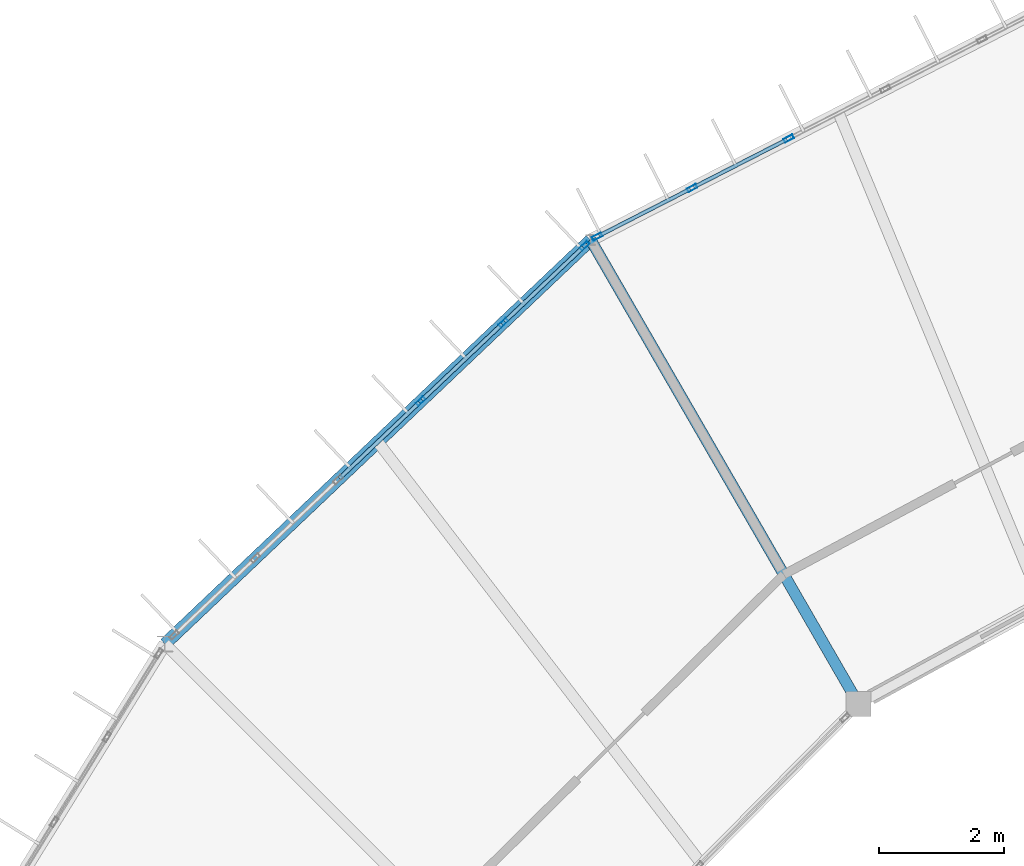
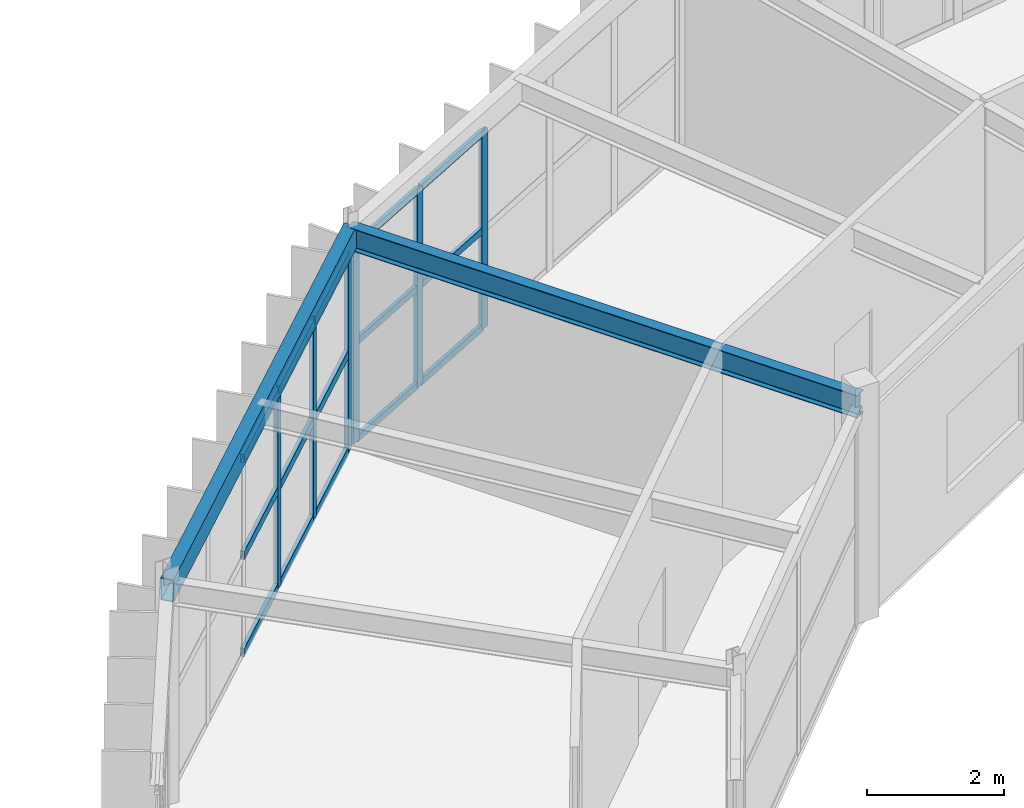
# One storey, part 60 of 106: 21 members, 2 beams, 2 elements without a shape of their own.
"""IFC4 building model written with IfcOpenShell, lengths in metres."""

from ifc_helpers import new_model, si_unit, direction, frame, origin, origin_2d, place, context, subcontext, project, spatial, hollow_rectangle, i_section, extrude, material, material_profile, profile_set, type_object, element, aggregate, save


model = new_model("IFC4")

# Units and contexts
model_context = context("Model", 3, precision=1e-05, world=origin(), true_north=direction((0.0, 1.0)))
body_context = subcontext(model_context, "Body", "Model", "MODEL_VIEW")
ifc_project = project(units=[si_unit("LENGTHUNIT", "METRE"), si_unit("AREAUNIT", "SQUARE_METRE"), si_unit("VOLUMEUNIT", "CUBIC_METRE"), si_unit("PLANEANGLEUNIT", "RADIAN"), si_unit("MASSUNIT", "GRAM", prefix="KILO")], contexts=[model_context])

# Site, building, storey
site_placement = place(None, origin())
site = spatial("IfcSite", under=ifc_project, at=site_placement, CompositionType="ELEMENT")
building_placement = place(site_placement, origin())
building = spatial("IfcBuilding", under=site, at=building_placement, Name="Karori Crest Natural Sciences Institute", CompositionType="ELEMENT")
storey_placement = place(building_placement, frame((0.0, 0.0, 25.89990234375)))
storey = spatial("IfcBuildingStorey", under=building, at=storey_placement, Name="L06", CompositionType="ELEMENT", Elevation=25.89990234375)

# Beams
ifc_material_1 = material(Name="Structural steel AS/NZS 3679.1 Grade 350", Category="steel")
ifc_material_profile_1 = material_profile(ifc_material_1, i_section(OverallWidth=0.177978515625, OverallDepth=0.406005859375, WebThickness=0.0078125, FlangeThickness=0.0126953125, FilletRadius=0.010986328125, at=origin_2d()), Name="410UB59.7")
ifc_profile_set_1 = profile_set([ifc_material_profile_1], Name="Structural steel AS/NZS 3679.1 Grade 350")
beam_type_1 = type_object("IfcBeamType", Name="BT-07", PredefinedType="BEAM", material=ifc_profile_set_1)
beam_1_placement = place(storey_placement, frame((54.199951171875, 77.785888671875, 3.739990234375), z_axis=(-0.499995216735, 0.866028165386, 0.0), x_axis=(-0.866028165386, -0.499995216735, 0.0)))
element("IfcBeam", 1, at=beam_1_placement, inside=storey, type_object=beam_type_1, Name="Beam B-0670", PredefinedType="BEAM", context=body_context, shape_type="SweptSolid", body=[
    extrude(i_section(OverallWidth=0.177978515625, OverallDepth=0.406005859375, WebThickness=0.0078125, FlangeThickness=0.0126953125, FilletRadius=0.010986328125, at=origin_2d()), origin(), (0.0, 0.0, 1.0), 8.60009765625),
])
ifc_material_2 = material(Name="Hollow structural steel AS/NZS 1163 Grade C350", Category="steel")
ifc_material_profile_2 = material_profile(ifc_material_2, hollow_rectangle(XDim=0.199951171875, YDim=0.39990234375, WallThickness=0.012451171875, at=origin_2d()), Name="RHS400x200x12.5")
ifc_profile_set_2 = profile_set([ifc_material_profile_2], Name="Hollow structural steel AS/NZS 1163 Grade C350")
beam_type_2 = type_object("IfcBeamType", Name="BT-14", PredefinedType="SPANDREL", material=ifc_profile_set_2)
beam_2_placement = place(storey_placement, frame((49.89990234375, 85.23388671875, 3.739990234375), z_axis=(-0.72546900706, -0.688254836376, 0.0), x_axis=(0.688254836376, -0.72546900706, 0.0)))
element("IfcBeam", 2, at=beam_2_placement, inside=storey, type_object=beam_type_2, Name="Beam B-0668", PredefinedType="SPANDREL", context=body_context, shape_type="SweptSolid", body=[
    extrude(hollow_rectangle(XDim=0.199951171875, YDim=0.39990234375, WallThickness=0.012451171875, at=origin_2d()), origin(), (0.0, 0.0, 1.0), 9.420654296875),
])

# Curtain wall, members
ifc_material_3 = material(Name="Anodised architectural aluminium 6063-T6", Category="aluminium")
curtain_wall_type_1 = type_object("IfcCurtainWallType", Name="CWT-08", PredefinedType="NOTDEFINED", material=ifc_material_3)
curtain_wall_1_placement = place(storey_placement, origin())
curtain_wall_1 = element("IfcCurtainWall", 3, at=curtain_wall_1_placement, inside=storey, type_object=curtain_wall_type_1, Name="Curtain wall CW-0231", PredefinedType="NOTDEFINED")
ifc_material_profile_3 = material_profile(ifc_material_3, hollow_rectangle(XDim=0.06494140625, YDim=0.159912109375, WallThickness=0.00390625, at=origin_2d()), Name="CWM160x65x4")
ifc_profile_set_3 = profile_set([ifc_material_profile_3], Name="Anodised architectural aluminium 6063-T6")
member_type_1 = type_object("IfcMemberType", Name="CWM-01", PredefinedType="MULLION", material=ifc_profile_set_3)
member_1_placement = place(storey_placement, frame((50.004150390625, 85.287109375, 0.0), z_axis=(0.0, 0.0, 1.0), x_axis=(-0.455828878252, 0.890067432138, 0.0)))
member_1 = element("IfcMember", 4, at=member_1_placement, type_object=member_type_1, Name="CW-0231 mullion 1", PredefinedType="MULLION", context=body_context, shape_type="SweptSolid", body=[
    extrude(hollow_rectangle(XDim=0.06494140625, YDim=0.159912109375, WallThickness=0.00390625, at=origin_2d()), origin(), (0.0, 0.0, 1.0), 3.525146484375),
])
member_2_placement = place(storey_placement, frame((51.52685546875, 86.06689453125, 0.0), z_axis=(0.0, 0.0, 1.0), x_axis=(-0.455828878252, 0.890067432138, 0.0)))
member_2 = element("IfcMember", 5, at=member_2_placement, type_object=member_type_1, Name="CW-0231 mullion 2", PredefinedType="MULLION", context=body_context, shape_type="SweptSolid", body=[
    extrude(hollow_rectangle(XDim=0.06494140625, YDim=0.159912109375, WallThickness=0.00390625, at=origin_2d()), origin(), (0.0, 0.0, 1.0), 3.525146484375),
])
member_3_placement = place(storey_placement, frame((53.07861328125, 86.861572265625, 0.0), z_axis=(0.0, 0.0, 1.0), x_axis=(-0.455828878252, 0.890067432138, 0.0)))
member_3 = element("IfcMember", 6, at=member_3_placement, type_object=member_type_1, Name="CW-0231 mullion 3", PredefinedType="MULLION", context=body_context, shape_type="SweptSolid", body=[
    extrude(hollow_rectangle(XDim=0.06494140625, YDim=0.159912109375, WallThickness=0.00390625, at=origin_2d()), origin(), (0.0, 0.0, 1.0), 3.525146484375),
])

curtain_wall_type_2 = type_object("IfcCurtainWallType", Name="CWT-09", PredefinedType="NOTDEFINED", material=ifc_material_3)
curtain_wall_2_placement = place(storey_placement, origin())
curtain_wall_2 = element("IfcCurtainWall", 7, at=curtain_wall_2_placement, inside=storey, type_object=curtain_wall_type_2, Name="Curtain wall CW-0232", PredefinedType="NOTDEFINED")
member_4_placement = place(storey_placement, frame((47.17138671875, 82.645263671875, 0.0), z_axis=(0.0, 0.0, 1.0), x_axis=(-0.688250542104, 0.725473081026, 0.0)))
member_4 = element("IfcMember", 8, at=member_4_placement, type_object=member_type_1, Name="CW-0232 mullion 4", PredefinedType="MULLION", context=body_context, shape_type="SweptSolid", body=[
    extrude(hollow_rectangle(XDim=0.06494140625, YDim=0.159912109375, WallThickness=0.00390625, at=origin_2d()), origin(), (0.0, 0.0, 1.0), 3.525146484375),
])
member_5_placement = place(storey_placement, frame((48.498046875, 83.90380859375, 0.0), z_axis=(0.0, 0.0, 1.0), x_axis=(-0.688250542104, 0.725473081026, 0.0)))
member_5 = element("IfcMember", 9, at=member_5_placement, type_object=member_type_1, Name="CW-0232 mullion 5", PredefinedType="MULLION", context=body_context, shape_type="SweptSolid", body=[
    extrude(hollow_rectangle(XDim=0.06494140625, YDim=0.159912109375, WallThickness=0.00390625, at=origin_2d()), origin(), (0.0, 0.0, 1.0), 3.525146484375),
])
member_6_placement = place(storey_placement, frame((49.801025390625, 85.139892578125, 0.0), z_axis=(0.0, 0.0, 1.0), x_axis=(-0.688250542104, 0.725473081026, 0.0)))
member_6 = element("IfcMember", 10, at=member_6_placement, type_object=member_type_1, Name="CW-0232 mullion 6", PredefinedType="MULLION", context=body_context, shape_type="SweptSolid", body=[
    extrude(hollow_rectangle(XDim=0.06494140625, YDim=0.159912109375, WallThickness=0.00390625, at=origin_2d()), origin(), (0.0, 0.0, 1.0), 3.525146484375),
])

# Member
ifc_material_profile_4 = material_profile(ifc_material_3, hollow_rectangle(XDim=0.06005859375, YDim=0.1201171875, WallThickness=0.00390625, at=origin_2d()), Name="CWT120x60x4")
ifc_profile_set_4 = profile_set([ifc_material_profile_4], Name="Anodised architectural aluminium 6063-T6")
member_type_2 = type_object("IfcMemberType", Name="CWT-TR1", PredefinedType="USERDEFINED", material=ifc_profile_set_4)
member_7_placement = place(storey_placement, frame((50.032958984375, 85.302001953125, 0.030029296875), z_axis=(0.890084461025, 0.455795625518, 0.0), x_axis=(-0.455795625518, 0.890084461025, 0.0)))
member_7 = element("IfcMember", 11, at=member_7_placement, type_object=member_type_2, Name="CW-0231 transom 1.1", ObjectType="TRANSOM", PredefinedType="USERDEFINED", context=body_context, shape_type="SweptSolid", body=[
    extrude(hollow_rectangle(XDim=0.06005859375, YDim=0.1201171875, WallThickness=0.00390625, at=origin_2d()), origin(), (0.0, 0.0, 1.0), 1.64599609375),
])

member_8_placement = place(storey_placement, frame((50.032958984375, 85.302001953125, 1.7626953125), z_axis=(0.890084461025, 0.455795625518, 0.0), x_axis=(-0.455795625518, 0.890084461025, 0.0)))
member_8 = element("IfcMember", 12, at=member_8_placement, type_object=member_type_2, Name="CW-0231 transom 1.2", ObjectType="TRANSOM", PredefinedType="USERDEFINED", context=body_context, shape_type="SweptSolid", body=[
    extrude(hollow_rectangle(XDim=0.06005859375, YDim=0.1201171875, WallThickness=0.00390625, at=origin_2d()), origin(), (0.0, 0.0, 1.0), 1.64599609375),
])

member_9_placement = place(storey_placement, frame((50.032958984375, 85.302001953125, 3.4951171875), z_axis=(0.890084461025, 0.455795625518, 0.0), x_axis=(-0.455795625518, 0.890084461025, 0.0)))
member_9 = element("IfcMember", 13, at=member_9_placement, type_object=member_type_2, Name="CW-0231 transom 1.3", ObjectType="TRANSOM", PredefinedType="USERDEFINED", context=body_context, shape_type="SweptSolid", body=[
    extrude(hollow_rectangle(XDim=0.06005859375, YDim=0.1201171875, WallThickness=0.00390625, at=origin_2d()), origin(), (0.0, 0.0, 1.0), 1.64599609375),
])

member_10_placement = place(storey_placement, frame((51.555908203125, 86.081787109375, 0.030029296875), z_axis=(0.890050562189, 0.455861817601, 0.0), x_axis=(-0.455861817601, 0.890050562189, 0.0)))
member_10 = element("IfcMember", 14, at=member_10_placement, type_object=member_type_2, Name="CW-0231 transom 2.1", ObjectType="TRANSOM", PredefinedType="USERDEFINED", context=body_context, shape_type="SweptSolid", body=[
    extrude(hollow_rectangle(XDim=0.06005859375, YDim=0.1201171875, WallThickness=0.00390625, at=origin_2d()), origin(), (0.0, 0.0, 1.0), 1.678466796875),
])

member_11_placement = place(storey_placement, frame((51.555908203125, 86.081787109375, 1.7626953125), z_axis=(0.890050562189, 0.455861817601, 0.0), x_axis=(-0.455861817601, 0.890050562189, 0.0)))
member_11 = element("IfcMember", 15, at=member_11_placement, type_object=member_type_2, Name="CW-0231 transom 2.2", ObjectType="TRANSOM", PredefinedType="USERDEFINED", context=body_context, shape_type="SweptSolid", body=[
    extrude(hollow_rectangle(XDim=0.06005859375, YDim=0.1201171875, WallThickness=0.00390625, at=origin_2d()), origin(), (0.0, 0.0, 1.0), 1.678466796875),
])

member_12_placement = place(storey_placement, frame((51.555908203125, 86.081787109375, 3.4951171875), z_axis=(0.890050562189, 0.455861817601, 0.0), x_axis=(-0.455861817601, 0.890050562189, 0.0)))
member_12 = element("IfcMember", 16, at=member_12_placement, type_object=member_type_2, Name="CW-0231 transom 2.3", ObjectType="TRANSOM", PredefinedType="USERDEFINED", context=body_context, shape_type="SweptSolid", body=[
    extrude(hollow_rectangle(XDim=0.06005859375, YDim=0.1201171875, WallThickness=0.00390625, at=origin_2d()), origin(), (0.0, 0.0, 1.0), 1.678466796875),
])

aggregate(curtain_wall_1, [member_1, member_2, member_3, member_7, member_8, member_9, member_10, member_11, member_12])

ifc_material_profile_5 = material_profile(ifc_material_3, hollow_rectangle(XDim=0.06494140625, YDim=0.14990234375, WallThickness=0.00390625, at=origin_2d()), Name="CWT150x65x4")
ifc_profile_set_5 = profile_set([ifc_material_profile_5], Name="Anodised architectural aluminium 6063-T6")
member_type_3 = type_object("IfcMemberType", Name="CWT-TR2", PredefinedType="USERDEFINED", material=ifc_profile_set_5)
member_13_placement = place(storey_placement, frame((45.86865234375, 81.4091796875, 0.03271484375), z_axis=(0.725414069786, 0.688312739499, 0.0), x_axis=(-0.688312739499, 0.725414069786, 0.0)))
member_13 = element("IfcMember", 17, at=member_13_placement, type_object=member_type_3, Name="CW-0232 transom 3.1", ObjectType="TRANSOM", PredefinedType="USERDEFINED", context=body_context, shape_type="SweptSolid", body=[
    extrude(hollow_rectangle(XDim=0.06494140625, YDim=0.14990234375, WallThickness=0.00390625, at=origin_2d()), origin(), (0.0, 0.0, 1.0), 1.763427734375),
])

member_14_placement = place(storey_placement, frame((45.86865234375, 81.4091796875, 1.7626953125), z_axis=(0.725414069786, 0.688312739499, 0.0), x_axis=(-0.688312739499, 0.725414069786, 0.0)))
member_14 = element("IfcMember", 18, at=member_14_placement, type_object=member_type_3, Name="CW-0232 transom 3.2", ObjectType="TRANSOM", PredefinedType="USERDEFINED", context=body_context, shape_type="SweptSolid", body=[
    extrude(hollow_rectangle(XDim=0.06494140625, YDim=0.14990234375, WallThickness=0.00390625, at=origin_2d()), origin(), (0.0, 0.0, 1.0), 1.763427734375),
])

member_15_placement = place(storey_placement, frame((45.86865234375, 81.4091796875, 3.49267578125), z_axis=(0.725414069786, 0.688312739499, 0.0), x_axis=(-0.688312739499, 0.725414069786, 0.0)))
member_15 = element("IfcMember", 19, at=member_15_placement, type_object=member_type_3, Name="CW-0232 transom 3.3", ObjectType="TRANSOM", PredefinedType="USERDEFINED", context=body_context, shape_type="SweptSolid", body=[
    extrude(hollow_rectangle(XDim=0.06494140625, YDim=0.14990234375, WallThickness=0.00390625, at=origin_2d()), origin(), (0.0, 0.0, 1.0), 1.763427734375),
])

member_16_placement = place(storey_placement, frame((47.195068359375, 82.667724609375, 0.03271484375), z_axis=(0.725483196334, 0.688239879575, 0.0), x_axis=(-0.688239879575, 0.725483196334, 0.0)))
member_16 = element("IfcMember", 20, at=member_16_placement, type_object=member_type_3, Name="CW-0232 transom 4.1", ObjectType="TRANSOM", PredefinedType="USERDEFINED", context=body_context, shape_type="SweptSolid", body=[
    extrude(hollow_rectangle(XDim=0.06494140625, YDim=0.14990234375, WallThickness=0.00390625, at=origin_2d()), origin(), (0.0, 0.0, 1.0), 1.763427734375),
])

member_17_placement = place(storey_placement, frame((47.195068359375, 82.667724609375, 1.7626953125), z_axis=(0.725483196334, 0.688239879575, 0.0), x_axis=(-0.688239879575, 0.725483196334, 0.0)))
member_17 = element("IfcMember", 21, at=member_17_placement, type_object=member_type_3, Name="CW-0232 transom 4.2", ObjectType="TRANSOM", PredefinedType="USERDEFINED", context=body_context, shape_type="SweptSolid", body=[
    extrude(hollow_rectangle(XDim=0.06494140625, YDim=0.14990234375, WallThickness=0.00390625, at=origin_2d()), origin(), (0.0, 0.0, 1.0), 1.763427734375),
])

member_18_placement = place(storey_placement, frame((47.195068359375, 82.667724609375, 3.49267578125), z_axis=(0.725483196334, 0.688239879575, 0.0), x_axis=(-0.688239879575, 0.725483196334, 0.0)))
member_18 = element("IfcMember", 22, at=member_18_placement, type_object=member_type_3, Name="CW-0232 transom 4.3", ObjectType="TRANSOM", PredefinedType="USERDEFINED", context=body_context, shape_type="SweptSolid", body=[
    extrude(hollow_rectangle(XDim=0.06494140625, YDim=0.14990234375, WallThickness=0.00390625, at=origin_2d()), origin(), (0.0, 0.0, 1.0), 1.763427734375),
])

member_19_placement = place(storey_placement, frame((48.521484375, 83.926025390625, 0.03271484375), z_axis=(0.725478143339, 0.688245205967, 0.0), x_axis=(-0.688245205967, 0.725478143339, 0.0)))
member_19 = element("IfcMember", 23, at=member_19_placement, type_object=member_type_3, Name="CW-0232 transom 5.1", ObjectType="TRANSOM", PredefinedType="USERDEFINED", context=body_context, shape_type="SweptSolid", body=[
    extrude(hollow_rectangle(XDim=0.06494140625, YDim=0.14990234375, WallThickness=0.00390625, at=origin_2d()), origin(), (0.0, 0.0, 1.0), 1.73095703125),
])

member_20_placement = place(storey_placement, frame((48.521484375, 83.926025390625, 1.7626953125), z_axis=(0.725478143339, 0.688245205967, 0.0), x_axis=(-0.688245205967, 0.725478143339, 0.0)))
member_20 = element("IfcMember", 24, at=member_20_placement, type_object=member_type_3, Name="CW-0232 transom 5.2", ObjectType="TRANSOM", PredefinedType="USERDEFINED", context=body_context, shape_type="SweptSolid", body=[
    extrude(hollow_rectangle(XDim=0.06494140625, YDim=0.14990234375, WallThickness=0.00390625, at=origin_2d()), origin(), (0.0, 0.0, 1.0), 1.73095703125),
])

member_21_placement = place(storey_placement, frame((48.521484375, 83.926025390625, 3.49267578125), z_axis=(0.725478143339, 0.688245205967, 0.0), x_axis=(-0.688245205967, 0.725478143339, 0.0)))
member_21 = element("IfcMember", 25, at=member_21_placement, type_object=member_type_3, Name="CW-0232 transom 5.3", ObjectType="TRANSOM", PredefinedType="USERDEFINED", context=body_context, shape_type="SweptSolid", body=[
    extrude(hollow_rectangle(XDim=0.06494140625, YDim=0.14990234375, WallThickness=0.00390625, at=origin_2d()), origin(), (0.0, 0.0, 1.0), 1.73095703125),
])

aggregate(curtain_wall_2, [member_4, member_5, member_6, member_13, member_14, member_15, member_16, member_17, member_18, member_19, member_20, member_21])

save(model, "model.ifc")
